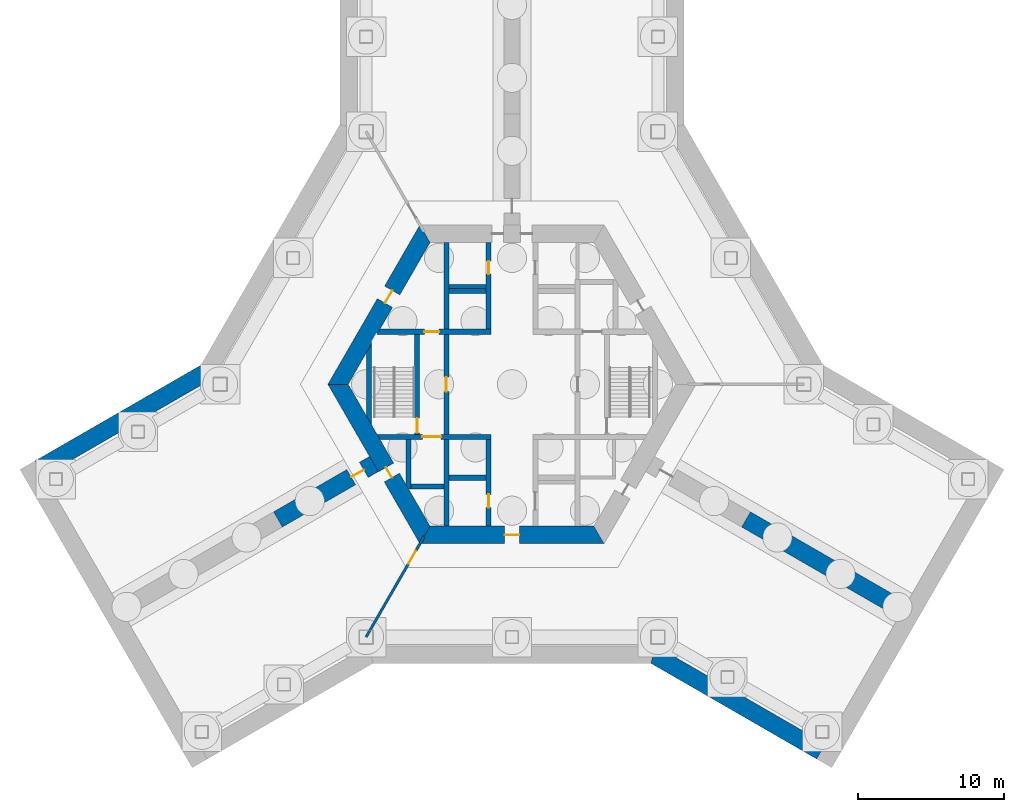
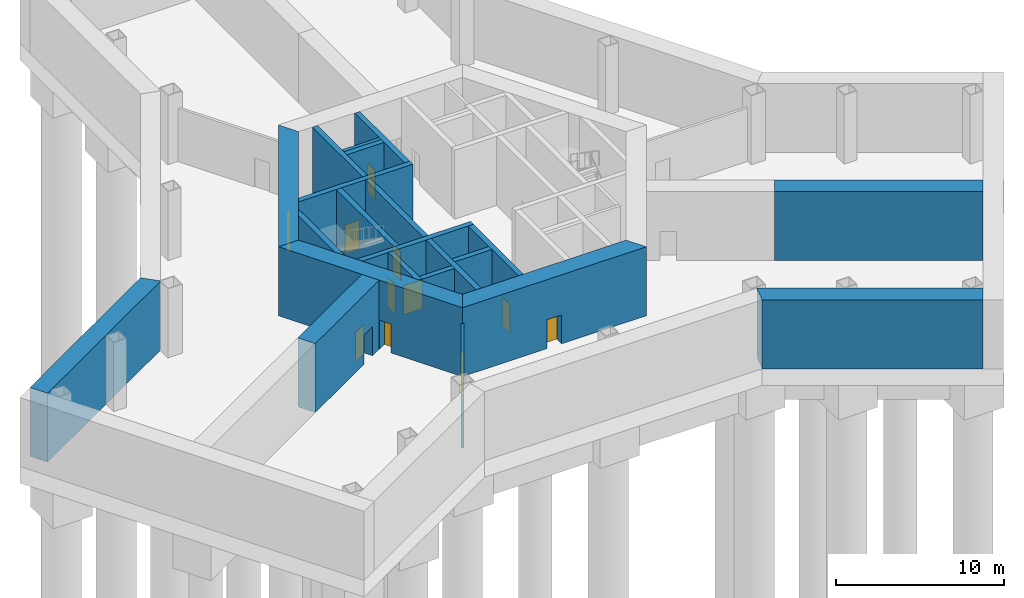
# One storey, part 2 of 5: 22 walls, 11 doors, 11 openings.
"""IFC4 building model written with IfcOpenShell, lengths in metres."""

from ifc_helpers import new_model, si_unit, direction, frame, frame_2d, origin, place, context, subcontext, project, spatial, polyline, rectangle, outline, extrude, material, layer, layer_set, type_object, element, fill, save


model = new_model("IFC4")

# Units and contexts
model_context = context("Model", 3, precision=1e-05, world=origin(), true_north=direction((0.0, 1.0)))
body_context = subcontext(model_context, "Body", "Model", "MODEL_VIEW")
ifc_project = project(units=[si_unit("LENGTHUNIT", "METRE"), si_unit("AREAUNIT", "SQUARE_METRE"), si_unit("VOLUMEUNIT", "CUBIC_METRE"), si_unit("PLANEANGLEUNIT", "RADIAN"), si_unit("MASSUNIT", "GRAM", prefix="KILO")], contexts=[model_context])

# Site, building, storey
site_placement = place(None, origin())
site = spatial("IfcSite", under=ifc_project, at=site_placement, CompositionType="ELEMENT")
building_placement = place(site_placement, origin())
building = spatial("IfcBuilding", under=site, at=building_placement, Name="Kasaneha Research Tower", CompositionType="ELEMENT")
storey_placement = place(building_placement, frame((0.0, 0.0, -10.0)))
storey = spatial("IfcBuildingStorey", under=building, at=storey_placement, Name="B2", CompositionType="ELEMENT", Elevation=-10.0)

# Walls
ifc_material_1 = material(Name="Concrete Fc60", Category="concrete")
ifc_layer_1 = layer(ifc_material_1, 1.199951171875)
ifc_layer_set_1 = layer_set([ifc_layer_1], Name="Basement retaining wall 1200 Fc60")
wall_type_1 = type_object("IfcWallType", Name="Basement retaining wall 1200 Fc60", PredefinedType="SOLIDWALL", material=ifc_layer_set_1)
for number, where, z_axis, x_axis, name in (
    (1, (-32.3779296875, -5.7607421875, 0.0), (0.0, 0.0, 1.0), (0.866028209229, 0.499995140796, 0.0), "Retaining wall 1 B2"),
    (2, (21.177978515625, -25.15966796875, 0.0), (0.0, 0.0, 1.0), (-0.866028209229, 0.499995140796, 0.0), "Retaining wall 9 B2"),
):
    element("IfcWall", number, at=place(storey_placement, frame(where, z_axis=z_axis, x_axis=x_axis)), inside=storey, type_object=wall_type_1, Name=name, PredefinedType="SOLIDWALL", context=body_context, shape_type="SweptSolid", body=[
        extrude(outline(polyline([(0.0, -0.60009765625), (13.439453125, -0.60009765625), (13.11767578125, 0.60009765625), (0.0, 0.60009765625), (0.0, -0.60009765625)])), origin(), (0.0, 0.0, 1.0), 5.0),
    ])

# Wall, opening, door
ifc_material_2 = material(Name="Concrete Fc100", Category="concrete")
ifc_layer_2 = layer(ifc_material_2, 0.35009765625)
ifc_layer_set_2 = layer_set([ifc_layer_2], Name="Core internal wall 350 Fc100")
wall_type_2 = type_object("IfcWallType", Name="Core internal wall 350 Fc100", PredefinedType="SHEAR", material=ifc_layer_set_2)
wall_1_placement = place(storey_placement, frame((-9.151123046875, 3.60009765625, 0.0), z_axis=(0.0, 0.0, 1.0), x_axis=(1.0, 0.0, 0.0)))
wall_1 = element("IfcWall", 3, at=wall_1_placement, inside=storey, type_object=wall_type_2, Name="Core wall W1W B2", PredefinedType="SHEAR", context=body_context, shape_type="SweptSolid", body=[
    extrude(outline(polyline([(-0.10107421875, -0.175048828125), (3.151123046875, -0.175048828125), (4.151123046875, -0.175048828125), (7.72607421875, -0.175048828125), (7.72607421875, 0.175048828125), (4.151123046875, 0.175048828125), (3.151123046875, 0.175048828125), (0.10107421875, 0.175048828125), (-0.10107421875, -0.175048828125)])), origin(), (0.0, 0.0, 1.0), 5.0),
])
opening_1_placement = place(wall_1_placement, frame((3.151123046875, 0.0, 0.0)))
opening_1 = element("IfcOpeningElement", 4, at=opening_1_placement, cuts=wall_1, Name="Opening B2-D12", PredefinedType="OPENING", context=body_context, shape_type="SweptSolid", body=[
    extrude(rectangle(XDim=1.0, YDim=2.10009765625, at=frame_2d((0.5, 1.050048828125))), frame((0.0, 0.18505859375, 0.0), z_axis=(0.0, -1.0, 0.0), x_axis=(1.0, 0.0, 0.0)), (0.0, 0.0, 1.0), 0.3701171875),
])
ifc_material_3 = material(Name="Steel", Category="steel")
door_type_1 = type_object("IfcDoorType", Name="Specified fire door FD60 1000x2100", OperationType="NOTDEFINED", PredefinedType="DOOR", material=ifc_material_3)
door_1_placement = place(opening_1_placement, origin())
door_1 = element("IfcDoor", 5, at=door_1_placement, inside=storey, type_object=door_type_1, Name="Vestibule to lobby door B2-D12", OperationType="SINGLE_SWING_LEFT", OverallHeight=2.10009765625, OverallWidth=1.0, PredefinedType="DOOR", context=body_context, shape_type="SweptSolid", body=[
    extrude(rectangle(XDim=1.0, YDim=2.10009765625, at=frame_2d((0.5, 1.050048828125))), frame((0.0, 0.02490234375, 0.0), z_axis=(0.0, -1.0, 0.0), x_axis=(1.0, 0.0, 0.0)), (0.0, 0.0, 1.0), 0.050048828125),
])
fill(opening_1, door_1)

wall_2_placement = place(storey_placement, frame((-9.151123046875, -3.60009765625, 0.0), z_axis=(0.0, 0.0, 1.0), x_axis=(1.0, 0.0, 0.0)))
wall_2 = element("IfcWall", 6, at=wall_2_placement, inside=storey, type_object=wall_type_2, Name="Core wall W2W B2", PredefinedType="SHEAR", context=body_context, shape_type="SweptSolid", body=[
    extrude(outline(polyline([(0.10107421875, -0.175048828125), (3.0009765625, -0.175048828125), (4.301025390625, -0.175048828125), (7.72607421875, -0.175048828125), (7.72607421875, 0.175048828125), (4.301025390625, 0.175048828125), (3.0009765625, 0.175048828125), (-0.10107421875, 0.175048828125), (0.10107421875, -0.175048828125)])), origin(), (0.0, 0.0, 1.0), 5.0),
])
opening_2_placement = place(wall_2_placement, frame((3.0009765625, 0.0, 0.0)))
opening_2 = element("IfcOpeningElement", 7, at=opening_2_placement, cuts=wall_2, Name="Opening LD-FL2-B2", PredefinedType="OPENING", context=body_context, shape_type="SweptSolid", body=[
    extrude(rectangle(XDim=1.300048828125, YDim=2.10009765625, at=frame_2d((0.64990234375, 1.050048828125))), frame((0.0, 0.18505859375, 0.0), z_axis=(0.0, -1.0, 0.0), x_axis=(1.0, 0.0, 0.0)), (0.0, 0.0, 1.0), 0.3701171875),
])
ifc_material_4 = material(Name="Steel", Category="steel")
door_type_2 = type_object("IfcDoorType", Name="Lift landing door 1300x2100", OperationType="DOUBLE_DOOR_SLIDING", PredefinedType="DOOR", material=ifc_material_4)
door_2_placement = place(opening_2_placement, origin())
door_2 = element("IfcDoor", 8, at=door_2_placement, inside=storey, type_object=door_type_2, Name="Landing door FL2 LD-FL2-B2", OperationType="DOUBLE_DOOR_SLIDING", OverallHeight=2.10009765625, OverallWidth=1.300048828125, PredefinedType="DOOR", context=body_context, shape_type="SweptSolid", body=[
    extrude(rectangle(XDim=1.300048828125, YDim=2.10009765625, at=frame_2d((0.64990234375, 1.050048828125))), frame((0.0, 0.02490234375, 0.0), z_axis=(0.0, -1.0, 0.0), x_axis=(1.0, 0.0, 0.0)), (0.0, 0.0, 1.0), 0.050048828125),
])
fill(opening_2, door_2)

wall_3_placement = place(storey_placement, frame((-1.60009765625, 3.77490234375, 0.0), z_axis=(0.0, 0.0, 1.0), x_axis=(0.0, 1.0, 0.0)))
wall_3 = element("IfcWall", 9, at=wall_3_placement, inside=storey, type_object=wall_type_2, Name="Core wall CNW B2", PredefinedType="SHEAR", context=body_context, shape_type="SweptSolid", body=[
    extrude(rectangle(XDim=5.9501953125, YDim=0.35009765625, at=frame_2d((2.97509765625, 0.0))), origin(), (0.0, 0.0, 1.0), 5.0),
])
opening_3_placement = place(wall_3_placement, frame((3.77490234375, 0.0, 0.0)))
opening_3 = element("IfcOpeningElement", 10, at=opening_3_placement, cuts=wall_3, Name="Opening B2-D13", PredefinedType="OPENING", context=body_context, shape_type="SweptSolid", body=[
    extrude(rectangle(XDim=0.89990234375, YDim=2.10009765625, at=frame_2d((0.449951171875, 1.050048828125))), frame((0.0, 0.18505859375, 0.0), z_axis=(0.0, -1.0, 0.0), x_axis=(1.0, 0.0, 0.0)), (0.0, 0.0, 1.0), 0.3701171875),
])
ifc_material_5 = material(Name="Steel", Category="steel")
door_type_3 = type_object("IfcDoorType", Name="Toilet door FD20 900x2100", OperationType="NOTDEFINED", PredefinedType="DOOR", material=ifc_material_5)
door_3_placement = place(opening_3_placement, origin())
door_3 = element("IfcDoor", 11, at=door_3_placement, inside=storey, type_object=door_type_3, Name="Men's WC door B2-D13", OperationType="SINGLE_SWING_LEFT", OverallHeight=2.10009765625, OverallWidth=0.89990234375, PredefinedType="DOOR", context=body_context, shape_type="SweptSolid", body=[
    extrude(rectangle(XDim=0.89990234375, YDim=2.10009765625, at=frame_2d((0.449951171875, 1.050048828125))), frame((0.0, 0.02490234375, 0.0), z_axis=(0.0, -1.0, 0.0), x_axis=(1.0, 0.0, 0.0)), (0.0, 0.0, 1.0), 0.050048828125),
])
fill(opening_3, door_3)

wall_4_placement = place(storey_placement, frame((-1.60009765625, -3.77490234375, 0.0), z_axis=(0.0, 0.0, 1.0), x_axis=(0.0, -1.0, 0.0)))
wall_4 = element("IfcWall", 12, at=wall_4_placement, inside=storey, type_object=wall_type_2, Name="Core wall CSW B2", PredefinedType="SHEAR", context=body_context, shape_type="SweptSolid", body=[
    extrude(rectangle(XDim=5.9501953125, YDim=0.35009765625, at=frame_2d((2.97509765625, 0.0))), origin(), (0.0, 0.0, 1.0), 5.0),
])
opening_4_placement = place(wall_4_placement, frame((3.77490234375, 0.0, 0.0)))
opening_4 = element("IfcOpeningElement", 13, at=opening_4_placement, cuts=wall_4, Name="Opening B2-D16", PredefinedType="OPENING", context=body_context, shape_type="SweptSolid", body=[
    extrude(rectangle(XDim=0.89990234375, YDim=2.10009765625, at=frame_2d((0.449951171875, 1.050048828125))), frame((0.0, 0.18505859375, 0.0), z_axis=(0.0, -1.0, 0.0), x_axis=(1.0, 0.0, 0.0)), (0.0, 0.0, 1.0), 0.3701171875),
])
ifc_material_6 = material(Name="Steel", Category="steel")
door_type_4 = type_object("IfcDoorType", Name="Riser access door FD60 900x2100", OperationType="NOTDEFINED", PredefinedType="DOOR", material=ifc_material_6)
door_4_placement = place(opening_4_placement, origin())
door_4 = element("IfcDoor", 14, at=door_4_placement, inside=storey, type_object=door_type_4, Name="Electrical riser door B2-D16", OperationType="SINGLE_SWING_LEFT", OverallHeight=2.10009765625, OverallWidth=0.89990234375, PredefinedType="DOOR", context=body_context, shape_type="SweptSolid", body=[
    extrude(rectangle(XDim=0.89990234375, YDim=2.10009765625, at=frame_2d((0.449951171875, 1.050048828125))), frame((0.0, 0.02490234375, 0.0), z_axis=(0.0, -1.0, 0.0), x_axis=(1.0, 0.0, 0.0)), (0.0, 0.0, 1.0), 0.050048828125),
])
fill(opening_4, door_4)

wall_5_placement = place(storey_placement, frame((-4.5, -3.425048828125, 0.0), z_axis=(0.0, 0.0, 1.0), x_axis=(0.0, 1.0, 0.0)))
wall_5 = element("IfcWall", 15, at=wall_5_placement, inside=storey, type_object=wall_type_2, Name="Core wall LBW B2", PredefinedType="SHEAR", context=body_context, shape_type="SweptSolid", body=[
    extrude(rectangle(XDim=6.85009765625, YDim=0.35009765625, at=frame_2d((3.425048828125, 0.0))), origin(), (0.0, 0.0, 1.0), 5.0),
])
opening_5_placement = place(wall_5_placement, frame((2.925048828125, 0.0, 0.0)))
opening_5 = element("IfcOpeningElement", 16, at=opening_5_placement, cuts=wall_5, Name="Opening B2-D09", PredefinedType="OPENING", context=body_context, shape_type="SweptSolid", body=[
    extrude(rectangle(XDim=1.0, YDim=2.10009765625, at=frame_2d((0.5, 1.050048828125))), frame((0.0, 0.18505859375, 0.0), z_axis=(0.0, -1.0, 0.0), x_axis=(1.0, 0.0, 0.0)), (0.0, 0.0, 1.0), 0.3701171875),
])
door_5_placement = place(opening_5_placement, origin())
door_5 = element("IfcDoor", 17, at=door_5_placement, inside=storey, type_object=door_type_1, Name="Lift lobby door west B2-D09", OperationType="SINGLE_SWING_LEFT", OverallHeight=2.10009765625, OverallWidth=1.0, PredefinedType="DOOR", context=body_context, shape_type="SweptSolid", body=[
    extrude(rectangle(XDim=1.0, YDim=2.10009765625, at=frame_2d((0.5, 1.050048828125))), frame((0.0, 0.02490234375, 0.0), z_axis=(0.0, -1.0, 0.0), x_axis=(1.0, 0.0, 0.0)), (0.0, 0.0, 1.0), 0.050048828125),
])
fill(opening_5, door_5)

wall_6_placement = place(storey_placement, frame((-6.5, -3.425048828125, 0.0), z_axis=(0.0, 0.0, 1.0), x_axis=(0.0, 1.0, 0.0)))
wall_6 = element("IfcWall", 18, at=wall_6_placement, inside=storey, type_object=wall_type_2, Name="Core wall ANW B2", PredefinedType="SHEAR", context=body_context, shape_type="SweptSolid", body=[
    extrude(rectangle(XDim=6.85009765625, YDim=0.35009765625, at=frame_2d((3.425048828125, 0.0))), origin(), (0.0, 0.0, 1.0), 5.0),
])
opening_6_placement = place(wall_6_placement, frame((0.10009765625, 0.0, 0.0)))
opening_6 = element("IfcOpeningElement", 19, at=opening_6_placement, cuts=wall_6, Name="Opening B2-D11", PredefinedType="OPENING", context=body_context, shape_type="SweptSolid", body=[
    extrude(rectangle(XDim=1.0, YDim=2.10009765625, at=frame_2d((0.5, 1.050048828125))), frame((0.0, 0.18505859375, 0.0), z_axis=(0.0, -1.0, 0.0), x_axis=(1.0, 0.0, 0.0)), (0.0, 0.0, 1.0), 0.3701171875),
])
door_6_placement = place(opening_6_placement, origin())
door_6 = element("IfcDoor", 20, at=door_6_placement, inside=storey, type_object=door_type_1, Name="Stair 2 door B2-D11", OperationType="SINGLE_SWING_LEFT", OverallHeight=2.10009765625, OverallWidth=1.0, PredefinedType="DOOR", context=body_context, shape_type="SweptSolid", body=[
    extrude(rectangle(XDim=1.0, YDim=2.10009765625, at=frame_2d((0.5, 1.050048828125))), frame((0.0, 0.02490234375, 0.0), z_axis=(0.0, -1.0, 0.0), x_axis=(1.0, 0.0, 0.0)), (0.0, 0.0, 1.0), 0.050048828125),
])
fill(opening_6, door_6)

# Walls
for number, where, z_axis, x_axis, name in (
    (21, (-4.5, 3.77490234375, 0.0), (0.0, 0.0, 1.0), (0.0, 1.0, 0.0), "Core wall VNW B2"),
    (22, (-4.5, -3.77490234375, 0.0), (0.0, 0.0, 1.0), (0.0, -1.0, 0.0), "Core wall SSW B2"),
):
    element("IfcWall", number, at=place(storey_placement, frame(where, z_axis=z_axis, x_axis=x_axis)), inside=storey, type_object=wall_type_2, Name=name, PredefinedType="SHEAR", context=body_context, shape_type="SweptSolid", body=[
        extrude(rectangle(XDim=5.9501953125, YDim=0.35009765625, at=frame_2d((2.97509765625, 0.0))), origin(), (0.0, 0.0, 1.0), 5.0),
    ])
for number, where, z_axis, x_axis, name in (
    (23, (-4.324951171875, 6.39990234375, 0.0), (0.0, 0.0, 1.0), (1.0, 0.0, 0.0), "Core wall N1N B2"),
    (24, (-4.324951171875, -6.39990234375, 0.0), (0.0, 0.0, 1.0), (1.0, 0.0, 0.0), "Core wall S1S B2"),
):
    element("IfcWall", number, at=place(storey_placement, frame(where, z_axis=z_axis, x_axis=x_axis)), inside=storey, type_object=wall_type_2, Name=name, PredefinedType="SHEAR", context=body_context, shape_type="SweptSolid", body=[
        extrude(rectangle(XDim=2.550048828125, YDim=0.35009765625, at=frame_2d((1.27490234375, 0.0))), origin(), (0.0, 0.0, 1.0), 5.0),
    ])
wall_7_placement = place(storey_placement, frame((-6.925048828125, -7.0, 0.0), z_axis=(0.0, 0.0, 1.0), x_axis=(1.0, 0.0, 0.0)))
element("IfcWall", 25, at=wall_7_placement, inside=storey, type_object=wall_type_2, Name="Core wall F2S B2", PredefinedType="SHEAR", context=body_context, shape_type="SweptSolid", body=[
    extrude(rectangle(XDim=2.25, YDim=0.35009765625, at=frame_2d((1.125, 0.0))), origin(), (0.0, 0.0, 1.0), 5.0),
])
wall_8_placement = place(storey_placement, frame((-7.10009765625, -3.77490234375, 0.0), z_axis=(0.0, 0.0, 1.0), x_axis=(0.0, -1.0, 0.0)))
element("IfcWall", 26, at=wall_8_placement, inside=storey, type_object=wall_type_2, Name="Core wall F2W B2", PredefinedType="SHEAR", context=body_context, shape_type="SweptSolid", body=[
    extrude(outline(polyline([(0.0, -0.175048828125), (3.07421875, -0.175048828125), (3.37744140625, 0.0), (3.39990234375, 0.175048828125), (0.0, 0.175048828125), (0.0, -0.175048828125)])), origin(), (0.0, 0.0, 1.0), 5.0),
])
wall_9_placement = place(storey_placement, frame((-9.807861328125, -2.462158203125, 0.0), z_axis=(0.0, 0.0, 1.0), x_axis=(0.0, 1.0, 0.0)))
element("IfcWall", 27, at=wall_9_placement, inside=storey, type_object=wall_type_2, Name="Core wall STW B2", PredefinedType="SHEAR", context=body_context, shape_type="SweptSolid", body=[
    extrude(outline(polyline([(-0.30322265625, -0.175048828125), (5.2275390625, -0.175048828125), (4.62109375, 0.175048828125), (0.30322265625, 0.175048828125), (-0.30322265625, -0.175048828125)])), origin(), (0.0, 0.0, 1.0), 5.0),
])

# Wall, opening, door
ifc_material_7 = material(Name="Concrete Fc100", Category="concrete")
ifc_layer_3 = layer(ifc_material_7, 1.199951171875)
ifc_layer_set_3 = layer_set([ifc_layer_3], Name="Core wall 1200 Fc100")
wall_type_3 = type_object("IfcWallType", Name="Core wall 1200 Fc100", PredefinedType="SHEAR", material=ifc_layer_set_3)
wall_10_placement = place(storey_placement, frame((-5.961181640625, 10.324951171875, 0.0), z_axis=(0.0, 0.0, 1.0), x_axis=(-0.500004296715, -0.866022923061, 0.0)))
wall_10 = element("IfcWall", 28, at=wall_10_placement, inside=storey, type_object=wall_type_3, Name="Core wall 150 B2", PredefinedType="SHEAR", context=body_context, shape_type="SweptSolid", body=[
    extrude(outline(polyline([(-0.346435546875, -0.60009765625), (4.494140625, -0.60009765625), (5.494140625, -0.60009765625), (12.268798828125, -0.60009765625), (11.575927734375, 0.60009765625), (5.494140625, 0.60009765625), (4.494140625, 0.60009765625), (0.346435546875, 0.60009765625), (-0.346435546875, -0.60009765625)])), origin(), (0.0, 0.0, 1.0), 5.0),
])
opening_7_placement = place(wall_10_placement, frame((4.494140625, 0.0, 0.0)))
opening_7 = element("IfcOpeningElement", 29, at=opening_7_placement, cuts=wall_10, Name="Opening B2-D07", PredefinedType="OPENING", context=body_context, shape_type="SweptSolid", body=[
    extrude(rectangle(XDim=1.0, YDim=2.10009765625, at=frame_2d((0.5, 1.050048828125))), frame((0.0, 0.60986328125, 0.0), z_axis=(0.0, -1.0, 0.0), x_axis=(1.0, 0.0, 0.0)), (0.0, 0.0, 1.0), 1.219970703125),
])
ifc_material_8 = material(Name="Steel", Category="steel")
door_type_5 = type_object("IfcDoorType", Name="Fire door FD20 1000x2100", OperationType="NOTDEFINED", PredefinedType="DOOR", material=ifc_material_8)
door_7_placement = place(opening_7_placement, origin())
door_7 = element("IfcDoor", 30, at=door_7_placement, inside=storey, type_object=door_type_5, Name="Vestibule door B2-D07", OperationType="SINGLE_SWING_LEFT", OverallHeight=2.10009765625, OverallWidth=1.0, PredefinedType="DOOR", context=body_context, shape_type="SweptSolid", body=[
    extrude(rectangle(XDim=1.0, YDim=2.10009765625, at=frame_2d((0.5, 1.050048828125))), frame((0.0, 0.02490234375, 0.0), z_axis=(0.0, -1.0, 0.0), x_axis=(1.0, 0.0, 0.0)), (0.0, 0.0, 1.0), 0.050048828125),
])
fill(opening_7, door_7)

wall_11_placement = place(storey_placement, frame((-11.92236328125, 0.0, 0.0), z_axis=(0.0, 0.0, 1.0), x_axis=(0.500004296715, -0.866022923061, 0.0)))
wall_11 = element("IfcWall", 31, at=wall_11_placement, inside=storey, type_object=wall_type_3, Name="Core wall 210 B2", PredefinedType="SHEAR", context=body_context, shape_type="SweptSolid", body=[
    extrude(outline(polyline([(-0.346435546875, -0.60009765625), (6.5810546875, -0.60009765625), (7.381103515625, -0.60009765625), (12.268798828125, -0.60009765625), (11.575927734375, 0.60009765625), (7.381103515625, 0.60009765625), (6.5810546875, 0.60009765625), (0.346435546875, 0.60009765625), (-0.346435546875, -0.60009765625)])), origin(), (0.0, 0.0, 1.0), 5.0),
])
opening_8_placement = place(wall_11_placement, frame((6.5810546875, 0.0, 0.0)))
opening_8 = element("IfcOpeningElement", 32, at=opening_8_placement, cuts=wall_11, Name="Opening B2-D06", PredefinedType="OPENING", context=body_context, shape_type="SweptSolid", body=[
    extrude(rectangle(XDim=0.800048828125, YDim=2.10009765625, at=frame_2d((0.39990234375, 1.050048828125))), frame((0.0, 0.60986328125, 0.0), z_axis=(0.0, -1.0, 0.0), x_axis=(1.0, 0.0, 0.0)), (0.0, 0.0, 1.0), 1.219970703125),
])
ifc_material_9 = material(Name="Steel", Category="steel")
door_type_6 = type_object("IfcDoorType", Name="Riser access door FD60 800x2100", OperationType="NOTDEFINED", PredefinedType="DOOR", material=ifc_material_9)
door_8_placement = place(opening_8_placement, origin())
door_8 = element("IfcDoor", 33, at=door_8_placement, inside=storey, type_object=door_type_6, Name="Duct riser door B2-D06", OperationType="SINGLE_SWING_RIGHT", OverallHeight=2.10009765625, OverallWidth=0.800048828125, PredefinedType="DOOR", context=body_context, shape_type="SweptSolid", body=[
    extrude(rectangle(XDim=0.800048828125, YDim=2.10009765625, at=frame_2d((0.39990234375, 1.050048828125))), frame((0.0, 0.02490234375, 0.0), z_axis=(0.0, -1.0, 0.0), x_axis=(1.0, 0.0, 0.0)), (0.0, 0.0, 1.0), 0.050048828125),
])
fill(opening_8, door_8)

wall_12_placement = place(storey_placement, frame((-5.961181640625, -10.324951171875, 0.0), z_axis=(0.0, 0.0, 1.0), x_axis=(1.0, 0.0, 0.0)))
wall_12 = element("IfcWall", 34, at=wall_12_placement, inside=storey, type_object=wall_type_3, Name="Core wall 270 B2", PredefinedType="SHEAR", context=body_context, shape_type="SweptSolid", body=[
    extrude(outline(polyline([(-0.346435546875, -0.60009765625), (5.461181640625, -0.60009765625), (6.461181640625, -0.60009765625), (12.268798828125, -0.60009765625), (11.575927734375, 0.60009765625), (6.461181640625, 0.60009765625), (5.461181640625, 0.60009765625), (0.346435546875, 0.60009765625), (-0.346435546875, -0.60009765625)])), origin(), (0.0, 0.0, 1.0), 5.0),
])
opening_9_placement = place(wall_12_placement, frame((5.461181640625, 0.0, 0.0)))
opening_9 = element("IfcOpeningElement", 35, at=opening_9_placement, cuts=wall_12, Name="Opening B2-D03", PredefinedType="OPENING", context=body_context, shape_type="SweptSolid", body=[
    extrude(rectangle(XDim=1.0, YDim=2.10009765625, at=frame_2d((0.5, 1.050048828125))), frame((0.0, 0.60986328125, 0.0), z_axis=(0.0, -1.0, 0.0), x_axis=(1.0, 0.0, 0.0)), (0.0, 0.0, 1.0), 1.219970703125),
])
door_9_placement = place(opening_9_placement, origin())
door_9 = element("IfcDoor", 36, at=door_9_placement, inside=storey, type_object=door_type_5, Name="Core door south B2-D03", OperationType="SINGLE_SWING_LEFT", OverallHeight=2.10009765625, OverallWidth=1.0, PredefinedType="DOOR", context=body_context, shape_type="SweptSolid", body=[
    extrude(rectangle(XDim=1.0, YDim=2.10009765625, at=frame_2d((0.5, 1.050048828125))), frame((0.0, 0.02490234375, 0.0), z_axis=(0.0, -1.0, 0.0), x_axis=(1.0, 0.0, 0.0)), (0.0, 0.0, 1.0), 0.050048828125),
])
fill(opening_9, door_9)

ifc_material_10 = material(Name="Concrete Fc100", Category="concrete")
ifc_layer_4 = layer(ifc_material_10, 1.199951171875)
ifc_layer_set_4 = layer_set([ifc_layer_4], Name="Spine wall 1200 Fc100")
wall_type_4 = type_object("IfcWallType", Name="Spine wall 1200 Fc100", PredefinedType="SHEAR", material=ifc_layer_set_4)
wall_13_placement = place(storey_placement, frame((-9.46142578125, -5.46240234375, 0.0), z_axis=(0.0, 0.0, 1.0), x_axis=(-0.866019116917, -0.500010889016, 0.0)))
wall_13 = element("IfcWall", 37, at=wall_13_placement, inside=storey, type_object=wall_type_4, Name="Spine wall B B2", PredefinedType="SHEAR", context=body_context, shape_type="SweptSolid", body=[
    extrude(rectangle(XDim=7.595458984375, YDim=1.199951171875, at=frame_2d((3.7978515625, 0.0))), origin(), (0.0, 0.0, 1.0), 5.0),
])
opening_10_placement = place(wall_13_placement, frame((0.800048828125, 0.0, 0.0)))
opening_10 = element("IfcOpeningElement", 38, at=opening_10_placement, cuts=wall_13, Name="Opening B2-D18", PredefinedType="OPENING", context=body_context, shape_type="SweptSolid", body=[
    extrude(rectangle(XDim=1.0, YDim=2.10009765625, at=frame_2d((0.5, 1.050048828125))), frame((0.0, 0.60986328125, 0.0), z_axis=(0.0, -1.0, 0.0), x_axis=(1.0, 0.0, 0.0)), (0.0, 0.0, 1.0), 1.219970703125),
])
door_10_placement = place(opening_10_placement, origin())
door_10 = element("IfcDoor", 39, at=door_10_placement, inside=storey, type_object=door_type_1, Name="Spine doorway B B2-D18", OperationType="SINGLE_SWING_LEFT", OverallHeight=2.10009765625, OverallWidth=1.0, PredefinedType="DOOR", context=body_context, shape_type="SweptSolid", body=[
    extrude(rectangle(XDim=1.0, YDim=2.10009765625, at=frame_2d((0.5, 1.050048828125))), frame((0.0, 0.02490234375, 0.0), z_axis=(0.0, -1.0, 0.0), x_axis=(1.0, 0.0, 0.0)), (0.0, 0.0, 1.0), 0.050048828125),
])
fill(opening_10, door_10)

# Wall
wall_14_placement = place(storey_placement, frame((16.039306640625, -9.26025390625, 0.0), z_axis=(0.0, 0.0, 1.0), x_axis=(0.866023285932, -0.50000366821, 0.0)))
element("IfcWall", 40, at=wall_14_placement, inside=storey, type_object=wall_type_4, Name="Spine wall C wing B2", PredefinedType="SHEAR", context=body_context, shape_type="SweptSolid", body=[
    extrude(rectangle(XDim=12.39990234375, YDim=1.199951171875, at=frame_2d((6.199951171875, 0.0))), origin(), (0.0, 0.0, 1.0), 5.0),
])

# Wall, opening, door
ifc_material_11 = material(Name="Gypsum board on steel studs, two layers each side", Category="steel")
ifc_layer_5 = layer(ifc_material_11, 0.175048828125)
ifc_layer_set_5 = layer_set([ifc_layer_5], Name="Tenancy fire partition 175")
wall_type_5 = type_object("IfcWallType", Name="Tenancy fire partition 175", PredefinedType="PARTITIONING", material=ifc_layer_set_5)
wall_15_placement = place(storey_placement, frame((-6.03515625, -10.453125, 0.0), z_axis=(0.0, 0.0, 1.0), x_axis=(-0.499993402427, -0.866029212861, 0.0)))
wall_15 = element("IfcWall", 41, at=wall_15_placement, inside=storey, type_object=wall_type_5, Name="Tenancy fire partition T240 B2", PredefinedType="PARTITIONING", context=body_context, shape_type="SweptSolid", body=[
    extrude(outline(polyline([(-0.050537109375, -0.08740234375), (1.12939453125, -0.08740234375), (2.12939453125, -0.08740234375), (7.9296875, -0.08740234375), (7.9296875, 0.08740234375), (2.12939453125, 0.08740234375), (1.12939453125, 0.08740234375), (0.050537109375, 0.08740234375), (-0.050537109375, -0.08740234375)])), origin(), (0.0, 0.0, 1.0), 3.85009765625),
])
opening_11_placement = place(wall_15_placement, frame((1.12939453125, 0.0, 0.0)))
opening_11 = element("IfcOpeningElement", 42, at=opening_11_placement, cuts=wall_15, Name="Opening B2-D22", PredefinedType="OPENING", context=body_context, shape_type="SweptSolid", body=[
    extrude(rectangle(XDim=1.0, YDim=2.10009765625, at=frame_2d((0.5, 1.050048828125))), frame((0.0, 0.09765625, 0.0), z_axis=(0.0, -1.0, 0.0), x_axis=(1.0, 0.0, 0.0)), (0.0, 0.0, 1.0), 0.195068359375),
])
ifc_material_12 = material(Name="Steel", Category="steel")
door_type_7 = type_object("IfcDoorType", Name="Suite entrance door FD60 1000x2100", OperationType="NOTDEFINED", PredefinedType="DOOR", material=ifc_material_12)
door_11_placement = place(opening_11_placement, origin())
door_11 = element("IfcDoor", 43, at=door_11_placement, inside=storey, type_object=door_type_7, Name="Connecting door B2-D22", OperationType="SINGLE_SWING_LEFT", OverallHeight=2.10009765625, OverallWidth=1.0, PredefinedType="DOOR", context=body_context, shape_type="SweptSolid", body=[
    extrude(rectangle(XDim=1.0, YDim=2.10009765625, at=frame_2d((0.5, 1.050048828125))), frame((0.0, 0.02490234375, 0.0), z_axis=(0.0, -1.0, 0.0), x_axis=(1.0, 0.0, 0.0)), (0.0, 0.0, 1.0), 0.050048828125),
])
fill(opening_11, door_11)

# Wall
ifc_material_13 = material(Name="Concrete block lining", Category="concrete")
ifc_layer_6 = layer(ifc_material_13, 0.25)
ifc_layer_set_6 = layer_set([ifc_layer_6], Name="WC plumbing wall 250")
wall_type_6 = type_object("IfcWallType", Name="WC plumbing wall 250", PredefinedType="PLUMBINGWALL", material=ifc_layer_set_6)
wall_16_placement = place(storey_placement, frame((-4.324951171875, 6.699951171875, 0.0), z_axis=(0.0, 0.0, 1.0), x_axis=(1.0, 0.0, 0.0)))
element("IfcWall", 44, at=wall_16_placement, inside=storey, type_object=wall_type_6, Name="WC plumbing wall M B2", PredefinedType="PLUMBINGWALL", context=body_context, shape_type="SweptSolid", body=[
    extrude(rectangle(XDim=2.550048828125, YDim=0.25, at=frame_2d((1.27490234375, 0.0))), origin(), (0.0, 0.0, 1.0), 5.0),
])

save(model, "model.ifc")
